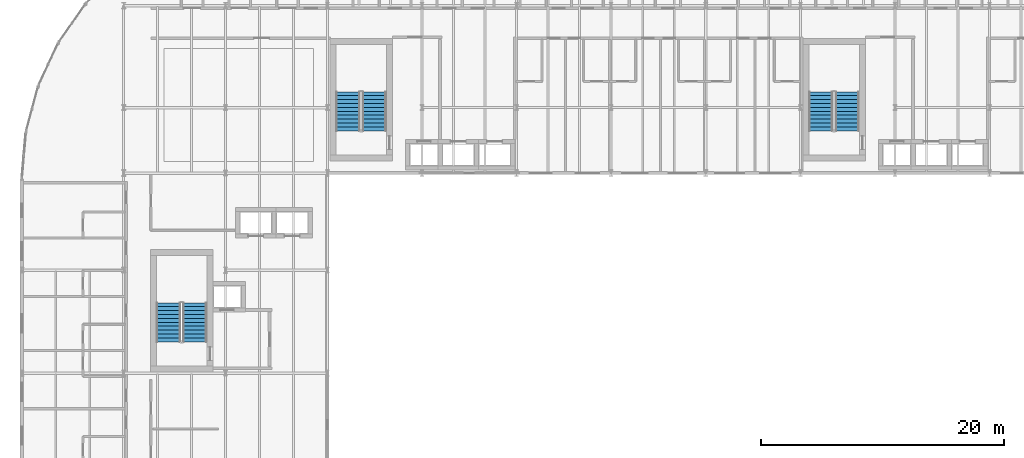
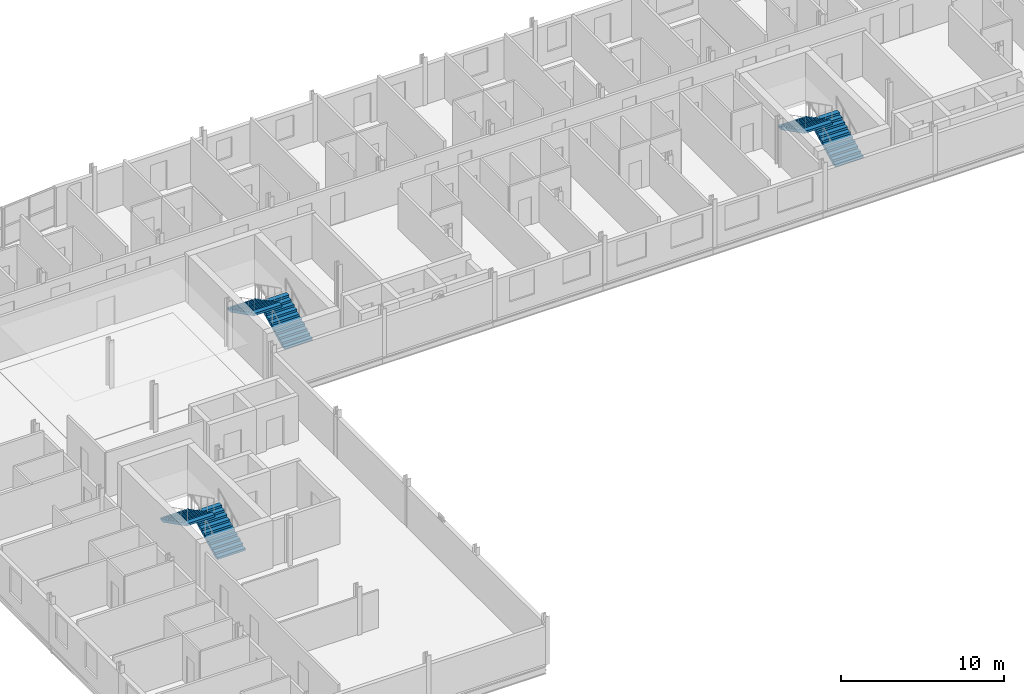
# One storey, part 26 of 30: 6 stair flights, 3 elements without a shape of their own.
"""IFC4 building model written with IfcOpenShell, lengths in metres."""

from ifc_helpers import new_model, si_unit, direction, frame, origin, place, context, subcontext, project, spatial, polyline, outline, extrude, material, type_object, element, aggregate, save


model = new_model("IFC4")

# Units and contexts
model_context = context("Model", 3, precision=1e-05, world=origin(), true_north=direction((0.0, 1.0)))
body_context = subcontext(model_context, "Body", "Model", "MODEL_VIEW")
ifc_project = project(units=[si_unit("LENGTHUNIT", "METRE"), si_unit("AREAUNIT", "SQUARE_METRE"), si_unit("VOLUMEUNIT", "CUBIC_METRE"), si_unit("PLANEANGLEUNIT", "RADIAN"), si_unit("MASSUNIT", "GRAM", prefix="KILO")], contexts=[model_context])

# Site, building, storey
site_placement = place(None, origin())
site = spatial("IfcSite", under=ifc_project, at=site_placement, CompositionType="ELEMENT")
building_placement = place(site_placement, origin())
building = spatial("IfcBuilding", under=site, at=building_placement, Name="Sefraquen Railside Congress Hotel", CompositionType="ELEMENT")
storey_placement = place(building_placement, frame((0.0, 0.0, 35.39990234375)))
storey = spatial("IfcBuildingStorey", under=building, at=storey_placement, Name="L08", CompositionType="ELEMENT", Elevation=35.39990234375)

# Stair, stair flights
ifc_material = material(Name="Concrete C40/50", Category="concrete")
stair_type_1 = type_object("IfcStairType", Name="TST-DOG-198-360", PredefinedType="HALF_TURN_STAIR", material=ifc_material)
stair_1_placement = place(storey_placement, origin())
stair_1 = element("IfcStair", 1, at=stair_1_placement, inside=storey, type_object=stair_type_1, Name="L08 Pressurized escape stair ST-H01", PredefinedType="HALF_TURN_STAIR")
stair_flight_type_1 = type_object("IfcStairFlightType", Name="TSF-FLT-198-360", PredefinedType="STRAIGHT", material=ifc_material)
stair_flight_1_placement = place(storey_placement, frame((14.27001953125, 82.080078125, 0.0), z_axis=(0.0, 0.0, 1.0), x_axis=(0.0, 1.0, 0.0)))
stair_flight_1 = element("IfcStairFlight", 2, at=stair_flight_1_placement, type_object=stair_flight_type_1, Name="ST-H01 flight 1", NumberOfRisers=11, NumberOfTreads=10, PredefinedType="STRAIGHT", RiserHeight=0.163636364, TreadLength=0.322, context=body_context, shape_type="SweptSolid", body=[
    extrude(outline(polyline([(0.0, 0.0), (0.0, 0.16357421875), (0.322021484375, 0.16357421875), (0.322021484375, 0.327392578125), (0.64404296875, 0.327392578125), (0.64404296875, 0.490966796875), (0.966064453125, 0.490966796875), (0.966064453125, 0.654541015625), (1.2880859375, 0.654541015625), (1.2880859375, 0.818115234375), (1.610107421875, 0.818115234375), (1.610107421875, 0.98193359375), (1.931884765625, 0.98193359375), (1.931884765625, 1.1455078125), (2.25390625, 1.1455078125), (2.25390625, 1.30908203125), (2.575927734375, 1.30908203125), (2.575927734375, 1.47265625), (2.89794921875, 1.47265625), (2.89794921875, 1.636474609375), (3.219970703125, 1.636474609375), (3.219970703125, 1.800048828125), (3.219970703125, 1.46826171875), (0.330810546875, 0.0), (0.0, 0.0)])), frame((0.0, 0.989990234375, 0.0), z_axis=(0.0, -1.0, 0.0), x_axis=(1.0, 0.0, 0.0)), (0.0, 0.0, 1.0), 1.97998046875),
])
stair_flight_2_placement = place(storey_placement, frame((12.090087890625, 85.300048828125, 1.800048828125), z_axis=(0.0, 0.0, 1.0), x_axis=(0.0, -1.0, 0.0)))
stair_flight_2 = element("IfcStairFlight", 3, at=stair_flight_2_placement, type_object=stair_flight_type_1, Name="ST-H01 flight 2", NumberOfRisers=11, NumberOfTreads=10, PredefinedType="STRAIGHT", RiserHeight=0.163636364, TreadLength=0.322, context=body_context, shape_type="SweptSolid", body=[
    extrude(outline(polyline([(0.0, 0.0), (0.0, 0.16357421875), (0.322021484375, 0.16357421875), (0.322021484375, 0.327392578125), (0.64404296875, 0.327392578125), (0.64404296875, 0.490966796875), (0.966064453125, 0.490966796875), (0.966064453125, 0.654541015625), (1.2880859375, 0.654541015625), (1.2880859375, 0.818115234375), (1.610107421875, 0.818115234375), (1.610107421875, 0.98193359375), (1.931884765625, 0.98193359375), (1.931884765625, 1.1455078125), (2.25390625, 1.1455078125), (2.25390625, 1.30908203125), (2.575927734375, 1.30908203125), (2.575927734375, 1.47265625), (2.89794921875, 1.47265625), (2.89794921875, 1.636474609375), (3.219970703125, 1.636474609375), (3.219970703125, 1.800048828125), (3.219970703125, 1.46826171875), (0.330810546875, 0.0), (0.0, 0.0)])), frame((0.0, 0.989990234375, 0.0), z_axis=(0.0, -1.0, 0.0), x_axis=(1.0, 0.0, 0.0)), (0.0, 0.0, 1.0), 1.97998046875),
])
aggregate(stair_1, [stair_flight_1, stair_flight_2])

stair_type_2 = type_object("IfcStairType", Name="TST-DOG-198-420", PredefinedType="HALF_TURN_STAIR", material=ifc_material)
stair_2_placement = place(storey_placement, origin())
stair_2 = element("IfcStair", 4, at=stair_2_placement, inside=storey, type_object=stair_type_2, Name="L08 Pressurized escape stair ST-H02", PredefinedType="HALF_TURN_STAIR")
stair_flight_type_2 = type_object("IfcStairFlightType", Name="TSF-FLT-198-420", PredefinedType="STRAIGHT", material=ifc_material)
stair_flight_3_placement = place(storey_placement, frame((29.070068359375, 99.47998046875, 0.0), z_axis=(0.0, 0.0, 1.0), x_axis=(0.0, 1.0, 0.0)))
stair_flight_3 = element("IfcStairFlight", 5, at=stair_flight_3_placement, type_object=stair_flight_type_2, Name="ST-H02 flight 1", NumberOfRisers=11, NumberOfTreads=10, PredefinedType="STRAIGHT", RiserHeight=0.163636364, TreadLength=0.322, context=body_context, shape_type="SweptSolid", body=[
    extrude(outline(polyline([(0.0, 0.0), (0.0, 0.16357421875), (0.322021484375, 0.16357421875), (0.322021484375, 0.327392578125), (0.64404296875, 0.327392578125), (0.64404296875, 0.490966796875), (0.966064453125, 0.490966796875), (0.966064453125, 0.654541015625), (1.2880859375, 0.654541015625), (1.2880859375, 0.818115234375), (1.610107421875, 0.818115234375), (1.610107421875, 0.98193359375), (1.931884765625, 0.98193359375), (1.931884765625, 1.1455078125), (2.25390625, 1.1455078125), (2.25390625, 1.30908203125), (2.575927734375, 1.30908203125), (2.575927734375, 1.47265625), (2.89794921875, 1.47265625), (2.89794921875, 1.636474609375), (3.219970703125, 1.636474609375), (3.219970703125, 1.800048828125), (3.219970703125, 1.46826171875), (0.330810546875, 0.0), (0.0, 0.0)])), frame((0.0, 0.989990234375, 0.0), z_axis=(0.0, -1.0, 0.0), x_axis=(1.0, 0.0, 0.0)), (0.0, 0.0, 1.0), 1.97998046875),
])
stair_flight_4_placement = place(storey_placement, frame((26.889892578125, 102.699951171875, 1.800048828125), z_axis=(0.0, 0.0, 1.0), x_axis=(0.0, -1.0, 0.0)))
stair_flight_4 = element("IfcStairFlight", 6, at=stair_flight_4_placement, type_object=stair_flight_type_2, Name="ST-H02 flight 2", NumberOfRisers=11, NumberOfTreads=10, PredefinedType="STRAIGHT", RiserHeight=0.163636364, TreadLength=0.322, context=body_context, shape_type="SweptSolid", body=[
    extrude(outline(polyline([(0.0, 0.0), (0.0, 0.16357421875), (0.322021484375, 0.16357421875), (0.322021484375, 0.327392578125), (0.64404296875, 0.327392578125), (0.64404296875, 0.490966796875), (0.966064453125, 0.490966796875), (0.966064453125, 0.654541015625), (1.2880859375, 0.654541015625), (1.2880859375, 0.818115234375), (1.610107421875, 0.818115234375), (1.610107421875, 0.98193359375), (1.931884765625, 0.98193359375), (1.931884765625, 1.1455078125), (2.25390625, 1.1455078125), (2.25390625, 1.30908203125), (2.575927734375, 1.30908203125), (2.575927734375, 1.47265625), (2.89794921875, 1.47265625), (2.89794921875, 1.636474609375), (3.219970703125, 1.636474609375), (3.219970703125, 1.800048828125), (3.219970703125, 1.46826171875), (0.330810546875, 0.0), (0.0, 0.0)])), frame((0.0, 0.989990234375, 0.0), z_axis=(0.0, -1.0, 0.0), x_axis=(1.0, 0.0, 0.0)), (0.0, 0.0, 1.0), 1.97998046875),
])
aggregate(stair_2, [stair_flight_3, stair_flight_4])

stair_type_3 = type_object("IfcStairType", Name="TST-DOG-198-450", PredefinedType="HALF_TURN_STAIR", material=ifc_material)
stair_3_placement = place(storey_placement, origin())
stair_3 = element("IfcStair", 7, at=stair_3_placement, inside=storey, type_object=stair_type_3, Name="L08 Pressurized escape stair ST-H03", PredefinedType="HALF_TURN_STAIR")
stair_flight_type_3 = type_object("IfcStairFlightType", Name="TSF-FLT-198-450", PredefinedType="STRAIGHT", material=ifc_material)
stair_flight_5_placement = place(storey_placement, frame((68.070068359375, 99.47998046875, 0.0), z_axis=(0.0, 0.0, 1.0), x_axis=(0.0, 1.0, 0.0)))
stair_flight_5 = element("IfcStairFlight", 8, at=stair_flight_5_placement, type_object=stair_flight_type_3, Name="ST-H03 flight 1", NumberOfRisers=11, NumberOfTreads=10, PredefinedType="STRAIGHT", RiserHeight=0.163636364, TreadLength=0.322, context=body_context, shape_type="SweptSolid", body=[
    extrude(outline(polyline([(0.0, 0.0), (0.0, 0.16357421875), (0.322021484375, 0.16357421875), (0.322021484375, 0.327392578125), (0.64404296875, 0.327392578125), (0.64404296875, 0.490966796875), (0.966064453125, 0.490966796875), (0.966064453125, 0.654541015625), (1.2880859375, 0.654541015625), (1.2880859375, 0.818115234375), (1.610107421875, 0.818115234375), (1.610107421875, 0.98193359375), (1.931884765625, 0.98193359375), (1.931884765625, 1.1455078125), (2.25390625, 1.1455078125), (2.25390625, 1.30908203125), (2.575927734375, 1.30908203125), (2.575927734375, 1.47265625), (2.89794921875, 1.47265625), (2.89794921875, 1.636474609375), (3.219970703125, 1.636474609375), (3.219970703125, 1.800048828125), (3.219970703125, 1.46826171875), (0.330810546875, 0.0), (0.0, 0.0)])), frame((0.0, 0.989990234375, 0.0), z_axis=(0.0, -1.0, 0.0), x_axis=(1.0, 0.0, 0.0)), (0.0, 0.0, 1.0), 1.97998046875),
])
stair_flight_6_placement = place(storey_placement, frame((65.889892578125, 102.699951171875, 1.800048828125), z_axis=(0.0, 0.0, 1.0), x_axis=(0.0, -1.0, 0.0)))
stair_flight_6 = element("IfcStairFlight", 9, at=stair_flight_6_placement, type_object=stair_flight_type_3, Name="ST-H03 flight 2", NumberOfRisers=11, NumberOfTreads=10, PredefinedType="STRAIGHT", RiserHeight=0.163636364, TreadLength=0.322, context=body_context, shape_type="SweptSolid", body=[
    extrude(outline(polyline([(0.0, 0.0), (0.0, 0.16357421875), (0.322021484375, 0.16357421875), (0.322021484375, 0.327392578125), (0.64404296875, 0.327392578125), (0.64404296875, 0.490966796875), (0.966064453125, 0.490966796875), (0.966064453125, 0.654541015625), (1.2880859375, 0.654541015625), (1.2880859375, 0.818115234375), (1.610107421875, 0.818115234375), (1.610107421875, 0.98193359375), (1.931884765625, 0.98193359375), (1.931884765625, 1.1455078125), (2.25390625, 1.1455078125), (2.25390625, 1.30908203125), (2.575927734375, 1.30908203125), (2.575927734375, 1.47265625), (2.89794921875, 1.47265625), (2.89794921875, 1.636474609375), (3.219970703125, 1.636474609375), (3.219970703125, 1.800048828125), (3.219970703125, 1.46826171875), (0.330810546875, 0.0), (0.0, 0.0)])), frame((0.0, 0.989990234375, 0.0), z_axis=(0.0, -1.0, 0.0), x_axis=(1.0, 0.0, 0.0)), (0.0, 0.0, 1.0), 1.97998046875),
])
aggregate(stair_3, [stair_flight_5, stair_flight_6])

save(model, "model.ifc")
